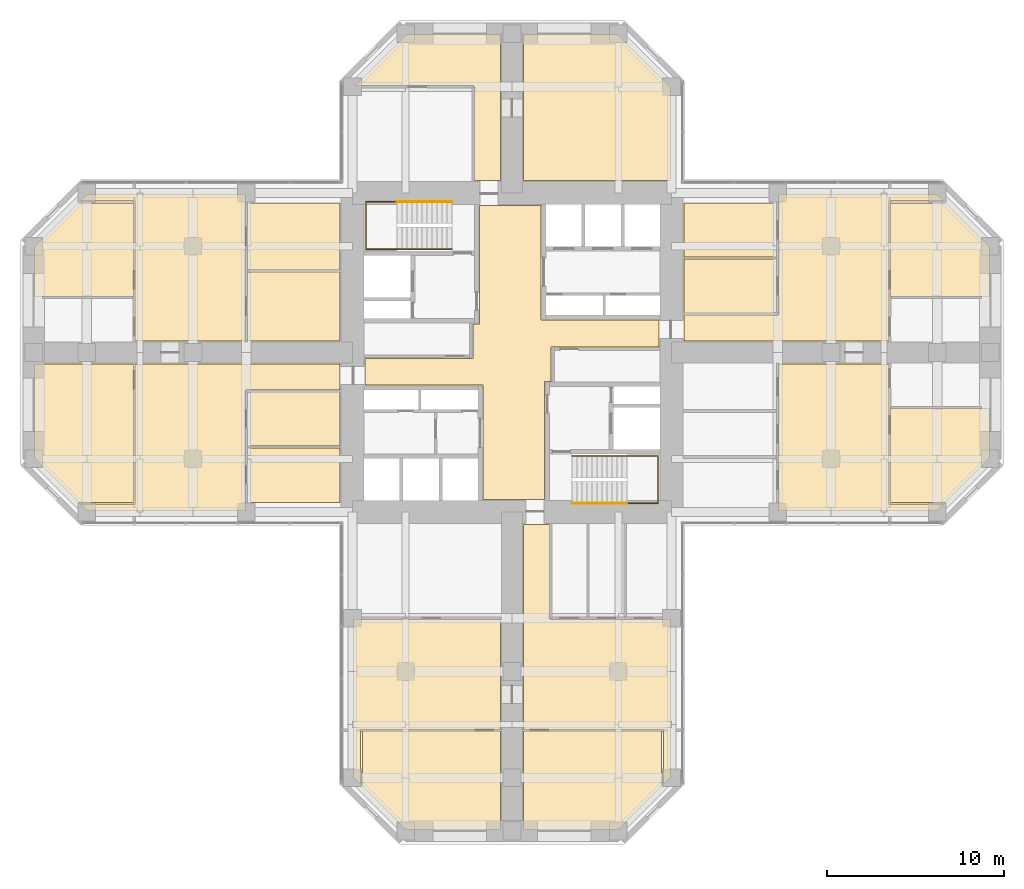
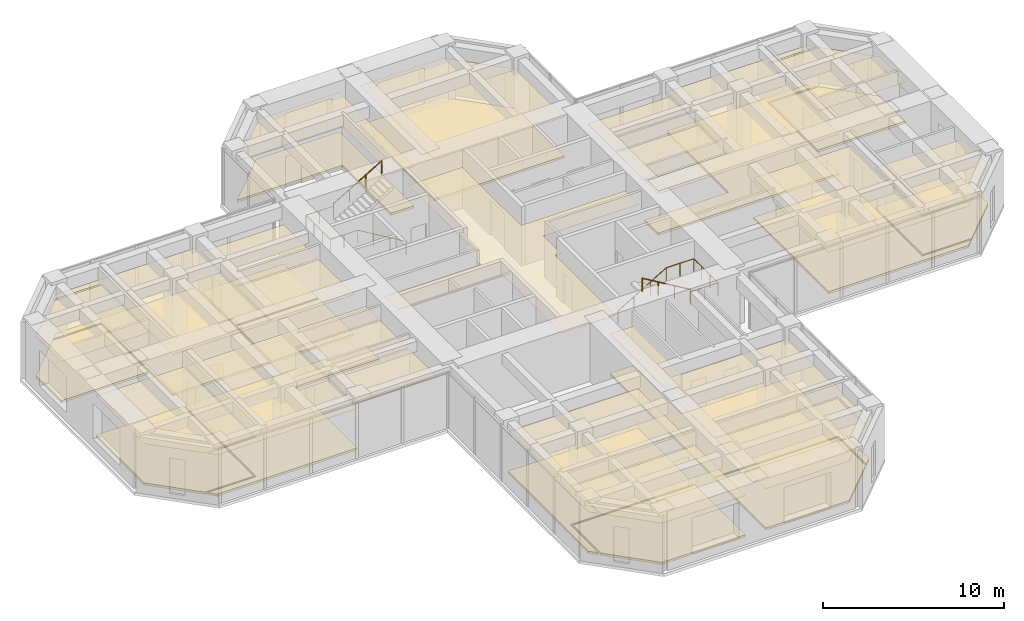
# One storey, part 13 of 13: 37 coverings, 4 railings.
"""IFC4 building model written with IfcOpenShell, lengths in metres."""

import ifcopenshell
import ifcopenshell.guid

model = None  # the IFC model being written
_history = None  # IfcOwnerHistory: only IFC2X3 demands one
_inside = {}  # id of a spatial element -> (the spatial element, [elements in it])
_under = {}  # id of a project, library or spatial element -> (it, [spatial elements below it])
_declared = {}  # id of a project -> (the project, [libraries it declares])
_typed = {}  # id of a type object -> (the type object, [elements of that type])
_made_of = {}  # id of a material, layer set ... -> (it, [elements and type objects made of it])


def new_model(schema):
    """Start an empty IFC model of exactly this schema.

    Asked for "IFC4X3", IfcOpenShell would pick the latest addendum, in which some entities
    have other attributes; the version numbers below select the first issue.
    IFC2X3 requires an IfcOwnerHistory on every rooted entity: one is made here for all.
    """
    global model, _history
    if schema == "IFC4X3":
        model = ifcopenshell.file(schema_version=(4, 3, 0, 0))
    else:
        model = ifcopenshell.file(schema=schema)
    _inside.clear()
    _under.clear()
    _declared.clear()
    _typed.clear()
    _made_of.clear()
    _history = None
    if model.schema == "IFC2X3":
        org = make("IfcOrganization", Name="unknown")
        user = make(
            "IfcPersonAndOrganization",
            ThePerson=make("IfcPerson", FamilyName="unknown"),
            TheOrganization=org,
        )
        app = make(
            "IfcApplication",
            ApplicationDeveloper=org,
            Version="unknown",
            ApplicationFullName="unknown",
            ApplicationIdentifier="unknown",
        )
        _history = make(
            "IfcOwnerHistory",
            OwningUser=user,
            OwningApplication=app,
            ChangeAction="ADDED",
            CreationDate=0,
        )
    return model


def make(cls, **values):
    """One entity of the class cls with the attributes given. An attribute that is None is left unset."""
    return model.create_entity(
        cls, **{name: value for name, value in values.items() if value is not None}
    )


def rooted(cls, **values):
    """An entity with a GlobalId (a new one), such as an element, a storey or a relation."""
    return make(cls, GlobalId=ifcopenshell.guid.new(), OwnerHistory=_history, **values)


def si_unit(unit_type, name, prefix=None):
    """IfcSIUnit, for example si_unit("LENGTHUNIT", "METRE", prefix="MILLI")."""
    return make("IfcSIUnit", UnitType=unit_type, Prefix=prefix, Name=name)


def assignment(units):
    """IfcUnitAssignment: the units of a project."""
    return None if units is None else make("IfcUnitAssignment", Units=units)


def point(xyz):
    """IfcCartesianPoint."""
    return None if xyz is None else make("IfcCartesianPoint", Coordinates=xyz)


def direction(xyz):
    """IfcDirection."""
    return None if xyz is None else make("IfcDirection", DirectionRatios=xyz)


def frame(location, z_axis=None, x_axis=None):
    """IfcAxis2Placement3D, a coordinate frame: its origin and axes. An axis left out is left unset."""
    return make(
        "IfcAxis2Placement3D",
        Location=point(location),
        Axis=direction(z_axis),
        RefDirection=direction(x_axis),
    )


def frame_2d(location, x_axis=None):
    """IfcAxis2Placement2D, a coordinate frame in the plane: its origin and x axis."""
    return make(
        "IfcAxis2Placement2D", Location=point(location), RefDirection=direction(x_axis)
    )


def origin():
    """The frame at (0, 0, 0) with its axes left unset."""
    return frame((0.0, 0.0, 0.0))


def origin_2d():
    """The frame at (0, 0) in the plane with its x axis left unset."""
    return frame_2d((0.0, 0.0))


def place(relative_to, where):
    """IfcLocalPlacement: puts the frame where relative to a parent placement (None: the world)."""
    return make(
        "IfcLocalPlacement", PlacementRelTo=relative_to, RelativePlacement=where
    )


def context(
    kind, dimensions, precision=None, world=None, true_north=None, identifier=None
):
    """IfcGeometricRepresentationContext, for example the 3D "Model" context."""
    return make(
        "IfcGeometricRepresentationContext",
        ContextIdentifier=identifier,
        ContextType=kind,
        CoordinateSpaceDimension=dimensions,
        Precision=precision,
        WorldCoordinateSystem=world,
        TrueNorth=true_north,
    )


def subcontext(parent, identifier, kind, view, scale=None):
    """IfcGeometricRepresentationSubContext, for example "Body" below "Model"."""
    return make(
        "IfcGeometricRepresentationSubContext",
        ContextIdentifier=identifier,
        ContextType=kind,
        ParentContext=parent,
        TargetScale=scale,
        TargetView=view,
    )


def project(units=None, contexts=None):
    """IfcProject with its units and contexts."""
    return rooted(
        "IfcProject",
        Name="project",
        RepresentationContexts=contexts,
        UnitsInContext=assignment(units),
    )


def spatial(cls, under=None, at=None, **own):
    """A site, building, storey or space (cls), placed at a placement, below another one or the project."""
    s = rooted(cls, ObjectPlacement=at, **own)
    if under is not None:
        _under.setdefault(under.id(), (under, []))[1].append(s)
    return s


def polyline(points):
    """IfcPolyline through the points."""
    return make("IfcPolyline", Points=[point(p) for p in points])


def profile(cls, at=None, kind="AREA", **sizes):
    """A parametric profile (cls). Its sizes go by their IFC names, for example OverallWidth=200.0."""
    return make(cls, ProfileType=kind, Position=at, **sizes)


def circle(**sizes):
    """IfcCircleProfileDef."""
    return profile("IfcCircleProfileDef", **sizes)


def outline(outer, holes=None, kind="AREA"):
    """IfcArbitraryClosedProfileDef: a profile drawn as a closed curve; with holes, ...WithVoids."""
    if holes is None:
        return make("IfcArbitraryClosedProfileDef", ProfileType=kind, OuterCurve=outer)
    return make(
        "IfcArbitraryProfileDefWithVoids",
        ProfileType=kind,
        OuterCurve=outer,
        InnerCurves=holes,
    )


def extrude(swept, where, along, depth):
    """IfcExtrudedAreaSolid: the profile swept, set in the frame where, extruded along a direction by depth."""
    return make(
        "IfcExtrudedAreaSolid",
        SweptArea=swept,
        Position=where,
        ExtrudedDirection=direction(along),
        Depth=depth,
    )


def shape(context_of_items, identifier, shape_type, items):
    """IfcShapeRepresentation: the items that make up one representation, for example the "Body"."""
    return make(
        "IfcShapeRepresentation",
        ContextOfItems=context_of_items,
        RepresentationIdentifier=identifier,
        RepresentationType=shape_type,
        Items=items,
    )


def material(Name=None, Category=None):
    """IfcMaterial."""
    return make("IfcMaterial", Name=Name, Category=Category)


def layer(
    of_material, thickness, ventilated=None, Name=None, Category=None, Priority=None
):
    """IfcMaterialLayer: one layer of a wall or slab, of a material (None: an air gap)."""
    return make(
        "IfcMaterialLayer",
        Material=of_material,
        LayerThickness=thickness,
        IsVentilated=ventilated,
        Name=Name,
        Category=Category,
        Priority=Priority,
    )


def layer_set(layers, Name=None):
    """IfcMaterialLayerSet."""
    return make("IfcMaterialLayerSet", MaterialLayers=layers, LayerSetName=Name)


def constituent(of_material, Name=None, Category=None, fraction=None):
    """IfcMaterialConstituent: one of the materials an element consists of."""
    return make(
        "IfcMaterialConstituent",
        Name=Name,
        Material=of_material,
        Fraction=fraction,
        Category=Category,
    )


def constituent_set(constituents=None, Name=None):
    """IfcMaterialConstituentSet."""
    return make(
        "IfcMaterialConstituentSet", Name=Name, MaterialConstituents=constituents
    )


def made_of(thing, what):
    """Note that an element or type object is made of a material, layer set ...; save() writes the relation."""
    if what is not None:
        _made_of.setdefault(what.id(), (what, []))[1].append(thing)
    return thing


def type_object(cls, material=None, **own):
    """A type object (cls), such as IfcWallType, which elements share."""
    return made_of(rooted(cls, **own), material)


def element(
    cls,
    number,
    at=None,
    inside=None,
    cuts=None,
    type_object=None,
    material=None,
    context=None,
    identifier="Body",
    shape_type=None,
    held_by="IfcProductDefinitionShape",
    body=None,
    shapes=None,
    **own,
):
    """One element of the class cls, such as IfcWall. Its Tag is "e" and its number.

    at: its placement. inside: the storey or other place that contains it. cuts: it is an
    opening in that element (IfcRelVoidsElement). A single representation is given by context,
    identifier, shape_type and body (its items); several are given by shapes. held_by: the class
    of the entity that holds the representations. save() writes the other relations.
    """
    e = rooted(cls, Tag="e%d" % number, ObjectPlacement=at, **own)
    if body is not None:
        shapes = [shape(context, identifier, shape_type, body)]
    if shapes is not None:
        e.Representation = make(held_by, Representations=shapes)
    if inside is not None:
        _inside.setdefault(inside.id(), (inside, []))[1].append(e)
    if cuts is not None:
        rooted(
            "IfcRelVoidsElement", RelatingBuildingElement=cuts, RelatedOpeningElement=e
        )
    if type_object is not None:
        _typed.setdefault(type_object.id(), (type_object, []))[1].append(e)
    return made_of(e, material)


def aggregate(whole, parts):
    """IfcRelAggregates: a whole, such as a stair, and the parts it consists of."""
    return rooted("IfcRelAggregates", RelatingObject=whole, RelatedObjects=parts)


def save(model, path):
    """Write the relations noted so far, then the file.

    IfcRelAggregates (storeys below a building ...), IfcRelContainedInSpatialStructure (elements
    in a storey), IfcRelDefinesByType, IfcRelAssociatesMaterial and IfcRelDeclares: one each for
    every whole, place, type object, material and project.
    """
    for whole, parts in _under.values():
        aggregate(whole, parts)
    for where, things in _inside.values():
        rooted(
            "IfcRelContainedInSpatialStructure",
            RelatedElements=things,
            RelatingStructure=where,
        )
    for kind, things in _typed.values():
        rooted("IfcRelDefinesByType", RelatedObjects=things, RelatingType=kind)
    for what, things in _made_of.values():
        rooted("IfcRelAssociatesMaterial", RelatedObjects=things, RelatingMaterial=what)
    for by, libraries in _declared.values():
        rooted("IfcRelDeclares", RelatingContext=by, RelatedDefinitions=libraries)
    model.write(path)


model = new_model("IFC4")

# Units and contexts
model_context = context("Model", 3, precision=1e-05, world=origin(), true_north=direction((0.0, 1.0)))
body_context = subcontext(model_context, "Body", "Model", "MODEL_VIEW")
ifc_project = project(units=[si_unit("LENGTHUNIT", "METRE"), si_unit("AREAUNIT", "SQUARE_METRE"), si_unit("VOLUMEUNIT", "CUBIC_METRE"), si_unit("PLANEANGLEUNIT", "RADIAN"), si_unit("MASSUNIT", "GRAM", prefix="KILO")], contexts=[model_context])

# Site, building, storey
site_placement = place(None, origin())
site = spatial("IfcSite", under=ifc_project, at=site_placement, CompositionType="ELEMENT")
building_placement = place(site_placement, origin())
building = spatial("IfcBuilding", under=site, at=building_placement, Name="Torre Cruceta", CompositionType="ELEMENT")
storey_placement = place(building_placement, frame((0.0, 0.0, 124.5)))
storey = spatial("IfcBuildingStorey", under=building, at=storey_placement, Name="L30", CompositionType="ELEMENT", Elevation=124.5)

# Railings
ifc_material_1 = material(Name="Stainless steel 1.4401", Category="steel")
railing_type = type_object("IfcRailingType", Name="HANDRAIL 900", PredefinedType="HANDRAIL", material=ifc_material_1)
railing_1_placement = place(storey_placement, frame((-3.39990234375, 5.8349609375, 0.166748046875)))
element("IfcRailing", 1, at=railing_1_placement, inside=storey, type_object=railing_type, Name="Handrail HR1 ST1 L30", PredefinedType="HANDRAIL", context=body_context, shape_type="SweptSolid", body=[
    extrude(circle(Radius=0.02392578125, at=origin_2d()), frame((0.0, 0.0, 0.8759765625), z_axis=(-0.859308565015, 0.0, 0.511457515432), x_axis=(0.0, -1.0, 0.0)), (0.0, 0.0, 1.0), 3.58447265625),
    extrude(circle(Radius=0.02392578125, at=origin_2d()), frame((-3.080078125, 0.0, 2.708984375), z_axis=(-1.0, 0.0, 0.0), x_axis=(0.0, -1.0, 0.0)), (0.0, 0.0, 1.0), 1.760009765625),
    extrude(circle(Radius=0.02392578125, at=origin_2d()), frame((-4.840087890625, 0.0, 2.708984375), z_axis=(0.0, 1.0, 0.0), x_axis=(-1.0, 0.0, 0.0)), (0.0, 0.0, 1.0), 2.679931640625),
    extrude(circle(Radius=0.02392578125, at=origin_2d()), frame((-4.840087890625, 2.679931640625, 2.708984375), z_axis=(1.0, 0.0, 0.0), x_axis=(0.0, 1.0, 0.0)), (0.0, 0.0, 1.0), 1.760009765625),
    extrude(circle(Radius=0.02099609375, at=origin_2d()), origin(), (0.0, 0.0, 1.0), 0.851806640625),
    extrude(circle(Radius=0.02099609375, at=origin_2d()), frame((-1.026611328125, 0.0, 0.611083984375)), (0.0, 0.0, 1.0), 0.851806640625),
    extrude(circle(Radius=0.02099609375, at=origin_2d()), frame((-2.053466796875, 0.0, 1.22216796875)), (0.0, 0.0, 1.0), 0.851806640625),
    extrude(circle(Radius=0.02099609375, at=origin_2d()), frame((-3.080078125, 0.0, 1.833251953125)), (0.0, 0.0, 1.0), 0.851806640625),
    extrude(circle(Radius=0.02099609375, at=origin_2d()), frame((-3.9599609375, 0.0, 1.833251953125)), (0.0, 0.0, 1.0), 0.851806640625),
    extrude(circle(Radius=0.02099609375, at=origin_2d()), frame((-4.840087890625, 0.0, 1.833251953125)), (0.0, 0.0, 1.0), 0.851806640625),
    extrude(circle(Radius=0.02099609375, at=origin_2d()), frame((-4.840087890625, 0.893310546875, 1.833251953125)), (0.0, 0.0, 1.0), 0.851806640625),
    extrude(circle(Radius=0.02099609375, at=origin_2d()), frame((-4.840087890625, 1.78662109375, 1.833251953125)), (0.0, 0.0, 1.0), 0.851806640625),
    extrude(circle(Radius=0.02099609375, at=origin_2d()), frame((-4.840087890625, 2.679931640625, 1.833251953125)), (0.0, 0.0, 1.0), 0.851806640625),
    extrude(circle(Radius=0.02099609375, at=origin_2d()), frame((-3.9599609375, 2.679931640625, 1.833251953125)), (0.0, 0.0, 1.0), 0.851806640625),
    extrude(circle(Radius=0.02099609375, at=origin_2d()), frame((-3.080078125, 2.679931640625, 1.833251953125)), (0.0, 0.0, 1.0), 0.851806640625),
])
railing_2_placement = place(storey_placement, frame((-6.47998046875, 8.514892578125, 2.166748046875)))
element("IfcRailing", 2, at=railing_2_placement, inside=storey, type_object=railing_type, Name="Handrail HR1 ST1 L30", PredefinedType="HANDRAIL", context=body_context, shape_type="SweptSolid", body=[
    extrude(circle(Radius=0.02392578125, at=origin_2d()), frame((0.0, 0.0, 0.8759765625), z_axis=(0.859308565015, 0.0, 0.511457515432), x_axis=(0.0, 1.0, 0.0)), (0.0, 0.0, 1.0), 3.58447265625),
    extrude(circle(Radius=0.02099609375, at=origin_2d()), origin(), (0.0, 0.0, 1.0), 0.851806640625),
    extrude(circle(Radius=0.02099609375, at=origin_2d()), frame((1.026611328125, 0.0, 0.611083984375)), (0.0, 0.0, 1.0), 0.851806640625),
    extrude(circle(Radius=0.02099609375, at=origin_2d()), frame((2.053466796875, 0.0, 1.22216796875)), (0.0, 0.0, 1.0), 0.851806640625),
    extrude(circle(Radius=0.02099609375, at=origin_2d()), frame((3.080078125, 0.0, 1.833251953125)), (0.0, 0.0, 1.0), 0.851806640625),
])
railing_3_placement = place(storey_placement, frame((3.39990234375, -5.8349609375, 0.166748046875)))
element("IfcRailing", 3, at=railing_3_placement, inside=storey, type_object=railing_type, Name="Handrail HR1 ST2 L30", PredefinedType="HANDRAIL", context=body_context, shape_type="SweptSolid", body=[
    extrude(circle(Radius=0.02392578125, at=origin_2d()), frame((0.0, 0.0, 0.8759765625), z_axis=(0.859308565015, 0.0, 0.511457515432), x_axis=(0.0, 1.0, 0.0)), (0.0, 0.0, 1.0), 3.58447265625),
    extrude(circle(Radius=0.02392578125, at=origin_2d()), frame((3.080078125, 0.0, 2.708984375), z_axis=(1.0, 0.0, 0.0), x_axis=(0.0, 1.0, 0.0)), (0.0, 0.0, 1.0), 1.760009765625),
    extrude(circle(Radius=0.02392578125, at=origin_2d()), frame((4.840087890625, 0.0, 2.708984375), z_axis=(0.0, -1.0, 0.0), x_axis=(1.0, 0.0, 0.0)), (0.0, 0.0, 1.0), 2.679931640625),
    extrude(circle(Radius=0.02392578125, at=origin_2d()), frame((4.840087890625, -2.679931640625, 2.708984375), z_axis=(-1.0, 0.0, 0.0), x_axis=(0.0, -1.0, 0.0)), (0.0, 0.0, 1.0), 1.760009765625),
    extrude(circle(Radius=0.02099609375, at=origin_2d()), origin(), (0.0, 0.0, 1.0), 0.851806640625),
    extrude(circle(Radius=0.02099609375, at=origin_2d()), frame((1.026611328125, 0.0, 0.611083984375)), (0.0, 0.0, 1.0), 0.851806640625),
    extrude(circle(Radius=0.02099609375, at=origin_2d()), frame((2.053466796875, 0.0, 1.22216796875)), (0.0, 0.0, 1.0), 0.851806640625),
    extrude(circle(Radius=0.02099609375, at=origin_2d()), frame((3.080078125, 0.0, 1.833251953125)), (0.0, 0.0, 1.0), 0.851806640625),
    extrude(circle(Radius=0.02099609375, at=origin_2d()), frame((3.9599609375, 0.0, 1.833251953125)), (0.0, 0.0, 1.0), 0.851806640625),
    extrude(circle(Radius=0.02099609375, at=origin_2d()), frame((4.840087890625, 0.0, 1.833251953125)), (0.0, 0.0, 1.0), 0.851806640625),
    extrude(circle(Radius=0.02099609375, at=origin_2d()), frame((4.840087890625, -0.893310546875, 1.833251953125)), (0.0, 0.0, 1.0), 0.851806640625),
    extrude(circle(Radius=0.02099609375, at=origin_2d()), frame((4.840087890625, -1.78662109375, 1.833251953125)), (0.0, 0.0, 1.0), 0.851806640625),
    extrude(circle(Radius=0.02099609375, at=origin_2d()), frame((4.840087890625, -2.679931640625, 1.833251953125)), (0.0, 0.0, 1.0), 0.851806640625),
    extrude(circle(Radius=0.02099609375, at=origin_2d()), frame((3.9599609375, -2.679931640625, 1.833251953125)), (0.0, 0.0, 1.0), 0.851806640625),
    extrude(circle(Radius=0.02099609375, at=origin_2d()), frame((3.080078125, -2.679931640625, 1.833251953125)), (0.0, 0.0, 1.0), 0.851806640625),
])
railing_4_placement = place(storey_placement, frame((6.47998046875, -8.514892578125, 2.166748046875)))
element("IfcRailing", 4, at=railing_4_placement, inside=storey, type_object=railing_type, Name="Handrail HR1 ST2 L30", PredefinedType="HANDRAIL", context=body_context, shape_type="SweptSolid", body=[
    extrude(circle(Radius=0.02392578125, at=origin_2d()), frame((0.0, 0.0, 0.8759765625), z_axis=(-0.859308565015, 0.0, 0.511457515432), x_axis=(0.0, -1.0, 0.0)), (0.0, 0.0, 1.0), 3.58447265625),
    extrude(circle(Radius=0.02099609375, at=origin_2d()), origin(), (0.0, 0.0, 1.0), 0.851806640625),
    extrude(circle(Radius=0.02099609375, at=origin_2d()), frame((-1.026611328125, 0.0, 0.611083984375)), (0.0, 0.0, 1.0), 0.851806640625),
    extrude(circle(Radius=0.02099609375, at=origin_2d()), frame((-2.053466796875, 0.0, 1.22216796875)), (0.0, 0.0, 1.0), 0.851806640625),
    extrude(circle(Radius=0.02099609375, at=origin_2d()), frame((-3.080078125, 0.0, 1.833251953125)), (0.0, 0.0, 1.0), 0.851806640625),
])

# Coverings
ifc_material_2 = material(Name="Steel DX51D", Category="steel")
ifc_constituent_1 = constituent(ifc_material_2, Name="Panel casing")
ifc_material_3 = material(Name="Calcium sulphate", Category="gypsum")
ifc_constituent_2 = constituent(ifc_material_3, Name="Panel core")
ifc_constituent_set = constituent_set(constituents=[ifc_constituent_1, ifc_constituent_2], Name="Raised access floor panel")
covering_type_1 = type_object("IfcCoveringType", Name="RAISED ACCESS FLOOR 150", PredefinedType="FLOORING", material=ifc_constituent_set)
covering_1_placement = place(storey_placement, origin())
element("IfcCovering", 5, at=covering_1_placement, inside=storey, type_object=covering_type_1, Name="Raised floor L30-026", PredefinedType="FLOORING", context=body_context, shape_type="SweptSolid", body=[
    extrude(outline(polyline([(-0.64990234375, 17.949951171875), (-0.64990234375, 9.699951171875), (-2.125, 9.699951171875), (-2.125, 15.050048828125), (-8.87939453125, 15.050048828125), (-5.979248046875, 17.949951171875), (-0.64990234375, 17.949951171875)])), origin(), (0.0, 0.0, 1.0), 0.14990234375),
])
covering_2_placement = place(storey_placement, origin())
element("IfcCovering", 6, at=covering_2_placement, inside=storey, type_object=covering_type_1, Name="Raised floor L30-027", PredefinedType="FLOORING", context=body_context, shape_type="SweptSolid", body=[
    extrude(outline(polyline([(5.979248046875, 17.949951171875), (8.949951171875, 14.979248046875), (8.949951171875, 9.699951171875), (0.64990234375, 9.699951171875), (0.64990234375, 17.949951171875), (5.979248046875, 17.949951171875)])), origin(), (0.0, 0.0, 1.0), 0.14990234375),
])
covering_3_placement = place(storey_placement, origin())
element("IfcCovering", 7, at=covering_3_placement, inside=storey, type_object=covering_type_1, Name="Raised floor L30-034", PredefinedType="FLOORING", context=body_context, shape_type="SweptSolid", body=[
    extrude(outline(polyline([(26.949951171875, 3.16796875), (21.3701171875, 3.16796875), (21.3701171875, 8.449951171875), (24.479248046875, 8.449951171875), (26.949951171875, 5.979248046875), (26.949951171875, 3.16796875)])), origin(), (0.0, 0.0, 1.0), 0.14990234375),
])
covering_4_placement = place(storey_placement, origin())
element("IfcCovering", 8, at=covering_4_placement, inside=storey, type_object=covering_type_1, Name="Raised floor L30-036", PredefinedType="FLOORING", context=body_context, shape_type="SweptSolid", body=[
    extrude(outline(polyline([(24.479248046875, -8.449951171875), (21.3701171875, -8.449951171875), (21.3701171875, -3.16796875), (26.949951171875, -3.16796875), (26.949951171875, -5.979248046875), (24.479248046875, -8.449951171875)])), origin(), (0.0, 0.0, 1.0), 0.14990234375),
])
covering_5_placement = place(storey_placement, origin())
element("IfcCovering", 9, at=covering_5_placement, inside=storey, type_object=covering_type_1, Name="Raised floor L30-037", PredefinedType="FLOORING", context=body_context, shape_type="SweptSolid", body=[
    extrude(outline(polyline([(9.699951171875, 2.125), (15.050048828125, 2.125), (15.050048828125, 8.949951171875), (23.979248046875, 8.949951171875), (24.37939453125, 8.550048828125), (21.27001953125, 8.550048828125), (21.27001953125, 0.64990234375), (9.699951171875, 0.64990234375), (9.699951171875, 2.125)])), origin(), (0.0, 0.0, 1.0), 0.14990234375),
])
covering_6_placement = place(storey_placement, origin())
element("IfcCovering", 10, at=covering_6_placement, inside=storey, type_object=covering_type_1, Name="Raised floor L30-038", PredefinedType="FLOORING", context=body_context, shape_type="SweptSolid", body=[
    extrude(outline(polyline([(15.050048828125, -8.949951171875), (15.050048828125, -0.64990234375), (21.27001953125, -0.64990234375), (21.27001953125, -8.550048828125), (24.37939453125, -8.550048828125), (23.979248046875, -8.949951171875), (15.050048828125, -8.949951171875)])), origin(), (0.0, 0.0, 1.0), 0.14990234375),
])
covering_7_placement = place(storey_placement, origin())
element("IfcCovering", 11, at=covering_7_placement, inside=storey, type_object=covering_type_1, Name="Raised floor L30-043", PredefinedType="FLOORING", context=body_context, shape_type="SweptSolid", body=[
    extrude(outline(polyline([(0.64990234375, -26.949951171875), (0.64990234375, -21.3701171875), (8.449951171875, -21.3701171875), (8.449951171875, -24.479248046875), (5.979248046875, -26.949951171875), (0.64990234375, -26.949951171875)])), origin(), (0.0, 0.0, 1.0), 0.14990234375),
])
covering_8_placement = place(storey_placement, origin())
element("IfcCovering", 12, at=covering_8_placement, inside=storey, type_object=covering_type_1, Name="Raised floor L30-044", PredefinedType="FLOORING", context=body_context, shape_type="SweptSolid", body=[
    extrude(outline(polyline([(-8.449951171875, -24.479248046875), (-8.449951171875, -21.3701171875), (-0.64990234375, -21.3701171875), (-0.64990234375, -26.949951171875), (-5.979248046875, -26.949951171875), (-8.449951171875, -24.479248046875)])), origin(), (0.0, 0.0, 1.0), 0.14990234375),
])
covering_9_placement = place(storey_placement, origin())
element("IfcCovering", 13, at=covering_9_placement, inside=storey, type_object=covering_type_1, Name="Raised floor L30-045", PredefinedType="FLOORING", context=body_context, shape_type="SweptSolid", body=[
    extrude(outline(polyline([(2.125, -9.699951171875), (2.125, -15.050048828125), (8.949951171875, -15.050048828125), (8.949951171875, -23.979248046875), (8.550048828125, -24.37939453125), (8.550048828125, -21.27001953125), (0.64990234375, -21.27001953125), (0.64990234375, -9.699951171875), (2.125, -9.699951171875)])), origin(), (0.0, 0.0, 1.0), 0.14990234375),
])
covering_10_placement = place(storey_placement, origin())
element("IfcCovering", 14, at=covering_10_placement, inside=storey, type_object=covering_type_1, Name="Raised floor L30-046", PredefinedType="FLOORING", context=body_context, shape_type="SweptSolid", body=[
    extrude(outline(polyline([(-8.949951171875, -15.050048828125), (-0.64990234375, -15.050048828125), (-0.64990234375, -21.27001953125), (-8.550048828125, -21.27001953125), (-8.550048828125, -24.37939453125), (-8.949951171875, -23.979248046875), (-8.949951171875, -15.050048828125)])), origin(), (0.0, 0.0, 1.0), 0.14990234375),
])
covering_11_placement = place(storey_placement, origin())
element("IfcCovering", 15, at=covering_11_placement, inside=storey, type_object=covering_type_1, Name="Raised floor L30-049", PredefinedType="FLOORING", context=body_context, shape_type="SweptSolid", body=[
    extrude(outline(polyline([(-9.699951171875, 4.550048828125), (-9.699951171875, 0.64990234375), (-14.949951171875, 0.64990234375), (-14.949951171875, 4.550048828125), (-9.699951171875, 4.550048828125)])), origin(), (0.0, 0.0, 1.0), 0.14990234375),
])
covering_12_placement = place(storey_placement, origin())
element("IfcCovering", 16, at=covering_12_placement, inside=storey, type_object=covering_type_1, Name="Raised floor L30-050", PredefinedType="FLOORING", context=body_context, shape_type="SweptSolid", body=[
    extrude(outline(polyline([(-9.699951171875, 8.449951171875), (-9.699951171875, 4.64990234375), (-14.949951171875, 4.64990234375), (-14.949951171875, 8.449951171875), (-9.699951171875, 8.449951171875)])), origin(), (0.0, 0.0, 1.0), 0.14990234375),
])
covering_13_placement = place(storey_placement, origin())
element("IfcCovering", 17, at=covering_13_placement, inside=storey, type_object=covering_type_1, Name="Raised floor L30-051", PredefinedType="FLOORING", context=body_context, shape_type="SweptSolid", body=[
    extrude(outline(polyline([(-26.949951171875, -0.64990234375), (-21.3701171875, -0.64990234375), (-21.3701171875, -8.449951171875), (-24.479248046875, -8.449951171875), (-26.949951171875, -5.979248046875), (-26.949951171875, -0.64990234375)])), origin(), (0.0, 0.0, 1.0), 0.14990234375),
])
covering_14_placement = place(storey_placement, origin())
element("IfcCovering", 18, at=covering_14_placement, inside=storey, type_object=covering_type_1, Name="Raised floor L30-053", PredefinedType="FLOORING", context=body_context, shape_type="SweptSolid", body=[
    extrude(outline(polyline([(-24.479248046875, 8.449951171875), (-21.3701171875, 8.449951171875), (-21.3701171875, 3.16796875), (-26.949951171875, 3.16796875), (-26.949951171875, 5.979248046875), (-24.479248046875, 8.449951171875)])), origin(), (0.0, 0.0, 1.0), 0.14990234375),
])
covering_15_placement = place(storey_placement, origin())
element("IfcCovering", 19, at=covering_15_placement, inside=storey, type_object=covering_type_1, Name="Raised floor L30-054", PredefinedType="FLOORING", context=body_context, shape_type="SweptSolid", body=[
    extrude(outline(polyline([(-9.699951171875, -2.125), (-15.050048828125, -2.125), (-15.050048828125, -8.949951171875), (-23.979248046875, -8.949951171875), (-24.37939453125, -8.550048828125), (-21.27001953125, -8.550048828125), (-21.27001953125, -0.64990234375), (-9.699951171875, -0.64990234375), (-9.699951171875, -2.125)])), origin(), (0.0, 0.0, 1.0), 0.14990234375),
])
covering_16_placement = place(storey_placement, origin())
element("IfcCovering", 20, at=covering_16_placement, inside=storey, type_object=covering_type_1, Name="Raised floor L30-055", PredefinedType="FLOORING", context=body_context, shape_type="SweptSolid", body=[
    extrude(outline(polyline([(-15.050048828125, 8.949951171875), (-15.050048828125, 0.64990234375), (-21.27001953125, 0.64990234375), (-21.27001953125, 8.550048828125), (-24.37939453125, 8.550048828125), (-23.979248046875, 8.949951171875), (-15.050048828125, 8.949951171875)])), origin(), (0.0, 0.0, 1.0), 0.14990234375),
])
ifc_material_4 = material(Name="Mineral fibre ceiling tile", Category="gypsum")
ifc_layer = layer(ifc_material_4, 0.02001953125)
ifc_layer_set = layer_set([ifc_layer], Name="Mineral fibre ceiling tile")
covering_type_2 = type_object("IfcCoveringType", Name="SUSPENDED CEILING 20", PredefinedType="CEILING", material=ifc_layer_set)
covering_17_placement = place(storey_placement, frame((0.0, 0.0, 2.780029296875)))
element("IfcCovering", 21, at=covering_17_placement, inside=storey, type_object=covering_type_2, Name="Ceiling L30-001", PredefinedType="CEILING", context=body_context, shape_type="SweptSolid", body=[
    extrude(outline(polyline([(1.824951171875, -8.300048828125), (-1.625, -8.300048828125), (-1.625, -1.824951171875), (-8.300048828125, -1.824951171875), (-8.300048828125, -0.324951171875), (-2.199951171875, -0.324951171875), (-2.199951171875, 1.625), (-1.824951171875, 1.625), (-1.824951171875, 8.300048828125), (1.625, 8.300048828125), (1.625, 1.824951171875), (8.300048828125, 1.824951171875), (8.300048828125, 0.324951171875), (2.199951171875, 0.324951171875), (2.199951171875, -1.625), (1.824951171875, -1.625), (1.824951171875, -8.300048828125)])), origin(), (0.0, 0.0, 1.0), 0.02001953125),
])
covering_18_placement = place(storey_placement, frame((0.0, 0.0, 2.780029296875)))
element("IfcCovering", 22, at=covering_18_placement, inside=storey, type_object=covering_type_2, Name="Ceiling L30-026", PredefinedType="CEILING", context=body_context, shape_type="SweptSolid", body=[
    extrude(outline(polyline([(-0.64990234375, 17.949951171875), (-0.64990234375, 9.699951171875), (-2.125, 9.699951171875), (-2.125, 15.050048828125), (-8.87939453125, 15.050048828125), (-5.979248046875, 17.949951171875), (-0.64990234375, 17.949951171875)])), origin(), (0.0, 0.0, 1.0), 0.02001953125),
])
covering_19_placement = place(storey_placement, frame((0.0, 0.0, 2.780029296875)))
element("IfcCovering", 23, at=covering_19_placement, inside=storey, type_object=covering_type_2, Name="Ceiling L30-027", PredefinedType="CEILING", context=body_context, shape_type="SweptSolid", body=[
    extrude(outline(polyline([(5.979248046875, 17.949951171875), (8.949951171875, 14.979248046875), (8.949951171875, 9.699951171875), (0.64990234375, 9.699951171875), (0.64990234375, 17.949951171875), (5.979248046875, 17.949951171875)])), origin(), (0.0, 0.0, 1.0), 0.02001953125),
])
covering_20_placement = place(storey_placement, frame((0.0, 0.0, 2.780029296875)))
element("IfcCovering", 24, at=covering_20_placement, inside=storey, type_object=covering_type_2, Name="Ceiling L30-028", PredefinedType="CEILING", context=body_context, shape_type="SweptSolid", body=[
    extrude(outline(polyline([(9.699951171875, 2.22509765625), (9.699951171875, 5.28759765625), (14.949951171875, 5.28759765625), (14.949951171875, 2.22509765625), (9.699951171875, 2.22509765625)])), origin(), (0.0, 0.0, 1.0), 0.02001953125),
])
covering_21_placement = place(storey_placement, frame((0.0, 0.0, 2.780029296875)))
element("IfcCovering", 25, at=covering_21_placement, inside=storey, type_object=covering_type_2, Name="Ceiling L30-029", PredefinedType="CEILING", context=body_context, shape_type="SweptSolid", body=[
    extrude(outline(polyline([(9.699951171875, 5.387451171875), (9.699951171875, 8.449951171875), (14.949951171875, 8.449951171875), (14.949951171875, 5.387451171875), (9.699951171875, 5.387451171875)])), origin(), (0.0, 0.0, 1.0), 0.02001953125),
])
covering_22_placement = place(storey_placement, frame((0.0, 0.0, 2.780029296875)))
element("IfcCovering", 26, at=covering_22_placement, inside=storey, type_object=covering_type_2, Name="Ceiling L30-034", PredefinedType="CEILING", context=body_context, shape_type="SweptSolid", body=[
    extrude(outline(polyline([(26.949951171875, 3.16796875), (21.3701171875, 3.16796875), (21.3701171875, 8.449951171875), (24.479248046875, 8.449951171875), (26.949951171875, 5.979248046875), (26.949951171875, 3.16796875)])), origin(), (0.0, 0.0, 1.0), 0.02001953125),
])
covering_23_placement = place(storey_placement, frame((0.0, 0.0, 2.780029296875)))
element("IfcCovering", 27, at=covering_23_placement, inside=storey, type_object=covering_type_2, Name="Ceiling L30-036", PredefinedType="CEILING", context=body_context, shape_type="SweptSolid", body=[
    extrude(outline(polyline([(24.479248046875, -8.449951171875), (21.3701171875, -8.449951171875), (21.3701171875, -3.16796875), (26.949951171875, -3.16796875), (26.949951171875, -5.979248046875), (24.479248046875, -8.449951171875)])), origin(), (0.0, 0.0, 1.0), 0.02001953125),
])
covering_24_placement = place(storey_placement, frame((0.0, 0.0, 2.780029296875)))
element("IfcCovering", 28, at=covering_24_placement, inside=storey, type_object=covering_type_2, Name="Ceiling L30-037", PredefinedType="CEILING", context=body_context, shape_type="SweptSolid", body=[
    extrude(outline(polyline([(9.699951171875, 2.125), (15.050048828125, 2.125), (15.050048828125, 8.949951171875), (23.979248046875, 8.949951171875), (24.37939453125, 8.550048828125), (21.27001953125, 8.550048828125), (21.27001953125, 0.64990234375), (9.699951171875, 0.64990234375), (9.699951171875, 2.125)])), origin(), (0.0, 0.0, 1.0), 0.02001953125),
])
covering_25_placement = place(storey_placement, frame((0.0, 0.0, 2.780029296875)))
element("IfcCovering", 29, at=covering_25_placement, inside=storey, type_object=covering_type_2, Name="Ceiling L30-038", PredefinedType="CEILING", context=body_context, shape_type="SweptSolid", body=[
    extrude(outline(polyline([(15.050048828125, -8.949951171875), (15.050048828125, -0.64990234375), (21.27001953125, -0.64990234375), (21.27001953125, -8.550048828125), (24.37939453125, -8.550048828125), (23.979248046875, -8.949951171875), (15.050048828125, -8.949951171875)])), origin(), (0.0, 0.0, 1.0), 0.02001953125),
])
covering_26_placement = place(storey_placement, frame((0.0, 0.0, 2.780029296875)))
element("IfcCovering", 30, at=covering_26_placement, inside=storey, type_object=covering_type_2, Name="Ceiling L30-043", PredefinedType="CEILING", context=body_context, shape_type="SweptSolid", body=[
    extrude(outline(polyline([(0.64990234375, -26.949951171875), (0.64990234375, -21.3701171875), (8.449951171875, -21.3701171875), (8.449951171875, -24.479248046875), (5.979248046875, -26.949951171875), (0.64990234375, -26.949951171875)])), origin(), (0.0, 0.0, 1.0), 0.02001953125),
])
covering_27_placement = place(storey_placement, frame((0.0, 0.0, 2.780029296875)))
element("IfcCovering", 31, at=covering_27_placement, inside=storey, type_object=covering_type_2, Name="Ceiling L30-044", PredefinedType="CEILING", context=body_context, shape_type="SweptSolid", body=[
    extrude(outline(polyline([(-8.449951171875, -24.479248046875), (-8.449951171875, -21.3701171875), (-0.64990234375, -21.3701171875), (-0.64990234375, -26.949951171875), (-5.979248046875, -26.949951171875), (-8.449951171875, -24.479248046875)])), origin(), (0.0, 0.0, 1.0), 0.02001953125),
])
covering_28_placement = place(storey_placement, frame((0.0, 0.0, 2.780029296875)))
element("IfcCovering", 32, at=covering_28_placement, inside=storey, type_object=covering_type_2, Name="Ceiling L30-045", PredefinedType="CEILING", context=body_context, shape_type="SweptSolid", body=[
    extrude(outline(polyline([(2.125, -9.699951171875), (2.125, -15.050048828125), (8.949951171875, -15.050048828125), (8.949951171875, -23.979248046875), (8.550048828125, -24.37939453125), (8.550048828125, -21.27001953125), (0.64990234375, -21.27001953125), (0.64990234375, -9.699951171875), (2.125, -9.699951171875)])), origin(), (0.0, 0.0, 1.0), 0.02001953125),
])
covering_29_placement = place(storey_placement, frame((0.0, 0.0, 2.780029296875)))
element("IfcCovering", 33, at=covering_29_placement, inside=storey, type_object=covering_type_2, Name="Ceiling L30-046", PredefinedType="CEILING", context=body_context, shape_type="SweptSolid", body=[
    extrude(outline(polyline([(-8.949951171875, -15.050048828125), (-0.64990234375, -15.050048828125), (-0.64990234375, -21.27001953125), (-8.550048828125, -21.27001953125), (-8.550048828125, -24.37939453125), (-8.949951171875, -23.979248046875), (-8.949951171875, -15.050048828125)])), origin(), (0.0, 0.0, 1.0), 0.02001953125),
])
covering_30_placement = place(storey_placement, frame((0.0, 0.0, 2.780029296875)))
element("IfcCovering", 34, at=covering_30_placement, inside=storey, type_object=covering_type_2, Name="Ceiling L30-047", PredefinedType="CEILING", context=body_context, shape_type="SweptSolid", body=[
    extrude(outline(polyline([(-9.699951171875, -2.22509765625), (-9.699951171875, -5.28759765625), (-14.949951171875, -5.28759765625), (-14.949951171875, -2.22509765625), (-9.699951171875, -2.22509765625)])), origin(), (0.0, 0.0, 1.0), 0.02001953125),
])
covering_31_placement = place(storey_placement, frame((0.0, 0.0, 2.780029296875)))
element("IfcCovering", 35, at=covering_31_placement, inside=storey, type_object=covering_type_2, Name="Ceiling L30-048", PredefinedType="CEILING", context=body_context, shape_type="SweptSolid", body=[
    extrude(outline(polyline([(-9.699951171875, -5.387451171875), (-9.699951171875, -8.449951171875), (-14.949951171875, -8.449951171875), (-14.949951171875, -5.387451171875), (-9.699951171875, -5.387451171875)])), origin(), (0.0, 0.0, 1.0), 0.02001953125),
])
covering_32_placement = place(storey_placement, frame((0.0, 0.0, 2.780029296875)))
element("IfcCovering", 36, at=covering_32_placement, inside=storey, type_object=covering_type_2, Name="Ceiling L30-049", PredefinedType="CEILING", context=body_context, shape_type="SweptSolid", body=[
    extrude(outline(polyline([(-9.699951171875, 4.550048828125), (-9.699951171875, 0.64990234375), (-14.949951171875, 0.64990234375), (-14.949951171875, 4.550048828125), (-9.699951171875, 4.550048828125)])), origin(), (0.0, 0.0, 1.0), 0.02001953125),
])
covering_33_placement = place(storey_placement, frame((0.0, 0.0, 2.780029296875)))
element("IfcCovering", 37, at=covering_33_placement, inside=storey, type_object=covering_type_2, Name="Ceiling L30-050", PredefinedType="CEILING", context=body_context, shape_type="SweptSolid", body=[
    extrude(outline(polyline([(-9.699951171875, 8.449951171875), (-9.699951171875, 4.64990234375), (-14.949951171875, 4.64990234375), (-14.949951171875, 8.449951171875), (-9.699951171875, 8.449951171875)])), origin(), (0.0, 0.0, 1.0), 0.02001953125),
])
covering_34_placement = place(storey_placement, frame((0.0, 0.0, 2.780029296875)))
element("IfcCovering", 38, at=covering_34_placement, inside=storey, type_object=covering_type_2, Name="Ceiling L30-051", PredefinedType="CEILING", context=body_context, shape_type="SweptSolid", body=[
    extrude(outline(polyline([(-26.949951171875, -0.64990234375), (-21.3701171875, -0.64990234375), (-21.3701171875, -8.449951171875), (-24.479248046875, -8.449951171875), (-26.949951171875, -5.979248046875), (-26.949951171875, -0.64990234375)])), origin(), (0.0, 0.0, 1.0), 0.02001953125),
])
covering_35_placement = place(storey_placement, frame((0.0, 0.0, 2.780029296875)))
element("IfcCovering", 39, at=covering_35_placement, inside=storey, type_object=covering_type_2, Name="Ceiling L30-053", PredefinedType="CEILING", context=body_context, shape_type="SweptSolid", body=[
    extrude(outline(polyline([(-24.479248046875, 8.449951171875), (-21.3701171875, 8.449951171875), (-21.3701171875, 3.16796875), (-26.949951171875, 3.16796875), (-26.949951171875, 5.979248046875), (-24.479248046875, 8.449951171875)])), origin(), (0.0, 0.0, 1.0), 0.02001953125),
])
covering_36_placement = place(storey_placement, frame((0.0, 0.0, 2.780029296875)))
element("IfcCovering", 40, at=covering_36_placement, inside=storey, type_object=covering_type_2, Name="Ceiling L30-054", PredefinedType="CEILING", context=body_context, shape_type="SweptSolid", body=[
    extrude(outline(polyline([(-9.699951171875, -2.125), (-15.050048828125, -2.125), (-15.050048828125, -8.949951171875), (-23.979248046875, -8.949951171875), (-24.37939453125, -8.550048828125), (-21.27001953125, -8.550048828125), (-21.27001953125, -0.64990234375), (-9.699951171875, -0.64990234375), (-9.699951171875, -2.125)])), origin(), (0.0, 0.0, 1.0), 0.02001953125),
])
covering_37_placement = place(storey_placement, frame((0.0, 0.0, 2.780029296875)))
element("IfcCovering", 41, at=covering_37_placement, inside=storey, type_object=covering_type_2, Name="Ceiling L30-055", PredefinedType="CEILING", context=body_context, shape_type="SweptSolid", body=[
    extrude(outline(polyline([(-15.050048828125, 8.949951171875), (-15.050048828125, 0.64990234375), (-21.27001953125, 0.64990234375), (-21.27001953125, 8.550048828125), (-24.37939453125, 8.550048828125), (-23.979248046875, 8.949951171875), (-15.050048828125, 8.949951171875)])), origin(), (0.0, 0.0, 1.0), 0.02001953125),
])

save(model, "model.ifc")
